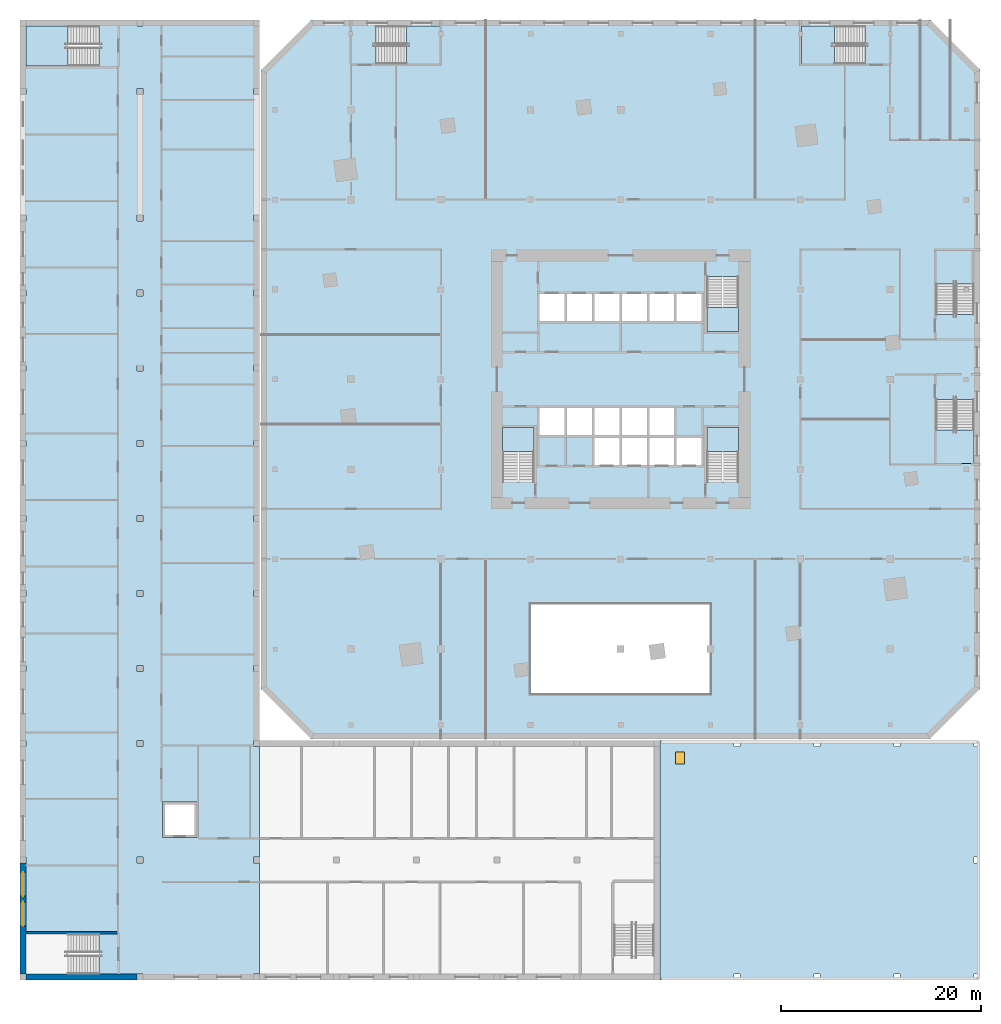
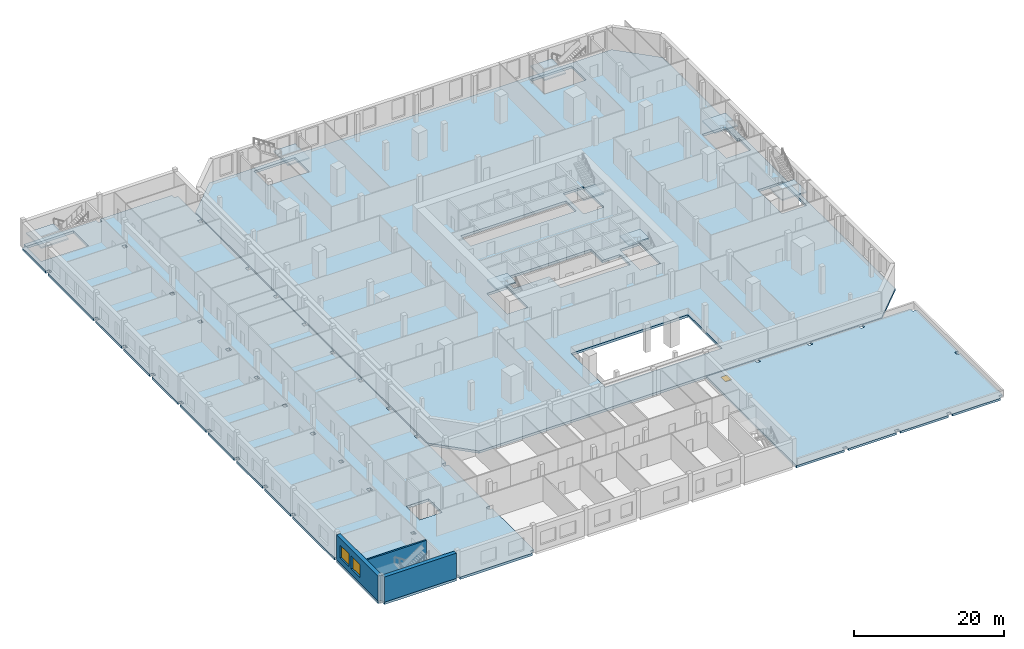
# One storey, part 2 of 20: 11 slabs, 3 walls, 3 windows, 3 openings, 8 elements without a shape of their own.
"""IFC4 building model written with IfcOpenShell, lengths in metres."""

from ifc_helpers import new_model, si_unit, direction, frame, frame_2d, origin, origin_2d, place, context, subcontext, project, spatial, polyline, rectangle, outline, extrude, material, layer, layer_set, type_object, element, fill, aggregate, save


model = new_model("IFC4")

# Units and contexts
model_context = context("Model", 3, precision=1e-05, world=origin(), true_north=direction((0.0, 1.0)))
body_context = subcontext(model_context, "Body", "Model", "MODEL_VIEW")
ifc_project = project(units=[si_unit("LENGTHUNIT", "METRE"), si_unit("AREAUNIT", "SQUARE_METRE"), si_unit("VOLUMEUNIT", "CUBIC_METRE"), si_unit("PLANEANGLEUNIT", "RADIAN"), si_unit("MASSUNIT", "GRAM", prefix="KILO")], contexts=[model_context])

# Site, building, storey
site_placement = place(None, origin())
site = spatial("IfcSite", under=ifc_project, at=site_placement, CompositionType="ELEMENT")
building_placement = place(site_placement, origin())
building = spatial("IfcBuilding", under=site, at=building_placement, Name="Dilmun Exchange Tower", CompositionType="ELEMENT")
storey_placement = place(building_placement, frame((0.0, 0.0, 9.0)))
storey = spatial("IfcBuildingStorey", under=building, at=storey_placement, Name="L02", CompositionType="ELEMENT", Elevation=9.0)

# Stair, slab
ifc_material_1 = material(Name="Concrete C40/50", Category="concrete")
stair_type_1 = type_object("IfcStairType", Name="Exit stair 1500 half-turn", PredefinedType="HALF_TURN_STAIR", material=ifc_material_1)
stair_1_placement = place(storey_placement, origin())
stair_1 = element("IfcStair", 1, at=stair_1_placement, inside=storey, type_object=stair_type_1, Name="L02 Protected exit stair ST1", PredefinedType="HALF_TURN_STAIR")
ifc_layer_1 = layer(ifc_material_1, 0.199951171875)
ifc_layer_set_1 = layer_set([ifc_layer_1], Name="Concrete C40/50")
slab_type_1 = type_object("IfcSlabType", Name="Exit stair landing 200", PredefinedType="LANDING", material=ifc_layer_set_1)
slab_1_placement = place(storey_placement, frame((0.0, 0.0, 2.050048828125)))
slab_1 = element("IfcSlab", 2, at=slab_1_placement, type_object=slab_type_1, Name="ST1 landing 1", PredefinedType="LANDING", context=body_context, shape_type="SweptSolid", body=[
    extrude(outline(polyline([(8.64990234375, 7.219970703125), (8.64990234375, 4.800048828125), (11.800048828125, 4.800048828125), (11.800048828125, 7.219970703125), (8.64990234375, 7.219970703125)])), origin(), (0.0, 0.0, 1.0), 0.199951171875),
])
aggregate(stair_1, [slab_1])

stair_2_placement = place(storey_placement, origin())
stair_2 = element("IfcStair", 3, at=stair_2_placement, inside=storey, type_object=stair_type_1, Name="L02 Protected exit stair ST2", PredefinedType="HALF_TURN_STAIR")
slab_2_placement = place(storey_placement, frame((0.0, 0.0, 2.050048828125)))
slab_2 = element("IfcSlab", 4, at=slab_2_placement, type_object=slab_type_1, Name="ST2 landing 1", PredefinedType="LANDING", context=body_context, shape_type="SweptSolid", body=[
    extrude(outline(polyline([(-8.64990234375, -7.219970703125), (-8.64990234375, -4.800048828125), (-11.800048828125, -4.800048828125), (-11.800048828125, -7.219970703125), (-8.64990234375, -7.219970703125)])), origin(), (0.0, 0.0, 1.0), 0.199951171875),
])
aggregate(stair_2, [slab_2])

stair_3_placement = place(storey_placement, origin())
stair_3 = element("IfcStair", 5, at=stair_3_placement, inside=storey, type_object=stair_type_1, Name="L02 Protected exit stair ST3", PredefinedType="HALF_TURN_STAIR")
slab_3_placement = place(storey_placement, frame((0.0, 0.0, 2.050048828125)))
slab_3 = element("IfcSlab", 6, at=slab_3_placement, type_object=slab_type_1, Name="ST3 landing 1", PredefinedType="LANDING", context=body_context, shape_type="SweptSolid", body=[
    extrude(outline(polyline([(11.800048828125, -7.219970703125), (11.800048828125, -4.800048828125), (8.64990234375, -4.800048828125), (8.64990234375, -7.219970703125), (11.800048828125, -7.219970703125)])), origin(), (0.0, 0.0, 1.0), 0.199951171875),
])
aggregate(stair_3, [slab_3])

stair_type_2 = type_object("IfcStairType", Name="Podium exit stair 1500", PredefinedType="HALF_TURN_STAIR", material=ifc_material_1)
stair_4_placement = place(storey_placement, origin())
stair_4 = element("IfcStair", 7, at=stair_4_placement, inside=storey, type_object=stair_type_2, Name="L02 Podium exit stair PS1", PredefinedType="HALF_TURN_STAIR")
ifc_layer_2 = layer(ifc_material_1, 0.199951171875)
ifc_layer_set_2 = layer_set([ifc_layer_2], Name="Concrete C40/50")
slab_type_2 = type_object("IfcSlabType", Name="Podium stair landing 200", PredefinedType="LANDING", material=ifc_layer_set_2)
slab_4_placement = place(storey_placement, frame((0.0, 0.0, 2.050048828125)))
slab_4 = element("IfcSlab", 8, at=slab_4_placement, type_object=slab_type_2, Name="PS1 landing 1", PredefinedType="LANDING", context=body_context, shape_type="SweptSolid", body=[
    extrude(outline(polyline([(-21.419921875, 31.60009765625), (-18.10498046875, 31.60009765625), (-18.10498046875, 35.39794921875), (-21.419921875, 35.39794921875), (-21.419921875, 31.60009765625)])), origin(), (0.0, 0.0, 1.0), 0.199951171875),
])
aggregate(stair_4, [slab_4])

stair_5_placement = place(storey_placement, origin())
stair_5 = element("IfcStair", 9, at=stair_5_placement, inside=storey, type_object=stair_type_2, Name="L02 Podium exit stair PS2", PredefinedType="HALF_TURN_STAIR")
slab_5_placement = place(storey_placement, frame((0.0, 0.0, 2.050048828125)))
slab_5 = element("IfcSlab", 10, at=slab_5_placement, type_object=slab_type_2, Name="PS2 landing 1", PredefinedType="LANDING", context=body_context, shape_type="SweptSolid", body=[
    extrude(outline(polyline([(21.419921875, 35.39794921875), (18.10498046875, 35.39794921875), (18.10498046875, 31.60009765625), (21.419921875, 31.60009765625), (21.419921875, 35.39794921875)])), origin(), (0.0, 0.0, 1.0), 0.199951171875),
])
aggregate(stair_5, [slab_5])

stair_6_placement = place(storey_placement, origin())
stair_6 = element("IfcStair", 11, at=stair_6_placement, inside=storey, type_object=stair_type_2, Name="L02 Podium exit stair PS3", PredefinedType="HALF_TURN_STAIR")
slab_6_placement = place(storey_placement, frame((0.0, 0.0, 2.050048828125)))
slab_6 = element("IfcSlab", 12, at=slab_6_placement, type_object=slab_type_2, Name="PS3 landing 1", PredefinedType="LANDING", context=body_context, shape_type="SweptSolid", body=[
    extrude(outline(polyline([(31.60009765625, -5.080078125), (31.60009765625, -8.39501953125), (35.39794921875, -8.39501953125), (35.39794921875, -5.080078125), (31.60009765625, -5.080078125)])), origin(), (0.0, 0.0, 1.0), 0.199951171875),
])
aggregate(stair_6, [slab_6])

stair_7_placement = place(storey_placement, origin())
stair_7 = element("IfcStair", 13, at=stair_7_placement, inside=storey, type_object=stair_type_2, Name="L02 Podium exit stair PS4", PredefinedType="HALF_TURN_STAIR")
slab_7_placement = place(storey_placement, frame((0.0, 0.0, 2.050048828125)))
slab_7 = element("IfcSlab", 14, at=slab_7_placement, type_object=slab_type_2, Name="PS4 landing 1", PredefinedType="LANDING", context=body_context, shape_type="SweptSolid", body=[
    extrude(outline(polyline([(35.197998046875, 9.580078125), (35.197998046875, 12.89501953125), (31.60009765625, 12.89501953125), (31.60009765625, 9.580078125), (35.197998046875, 9.580078125)])), origin(), (0.0, 0.0, 1.0), 0.199951171875),
])
aggregate(stair_7, [slab_7])

# Slabs
ifc_layer_3 = layer(ifc_material_1, 0.39990234375)
ifc_layer_set_3 = layer_set([ifc_layer_3], Name="Concrete C40/50")
slab_type_3 = type_object("IfcSlabType", Name="RC floor slab 400", PredefinedType="FLOOR", material=ifc_layer_set_3)
slab_8_placement = place(storey_placement, frame((0.0, 0.0, -0.39990234375)))
element("IfcSlab", 15, at=slab_8_placement, inside=storey, type_object=slab_type_3, Name="Floor slab", PredefinedType="FLOOR", context=body_context, shape_type="SweptSolid", body=[
    extrude(outline(polyline([(-36.0, -31.0), (-36.0, 31.0), (-31.0, 36.0), (31.0, 36.0), (36.0, 31.0), (36.0, -31.0), (31.0, -36.0), (-31.0, -36.0), (-36.0, -31.0)]), holes=[polyline([(-9.0, -22.5), (-9.0, -31.5), (9.0, -31.5), (9.0, -22.5), (-9.0, -22.5)]), polyline([(-8.64990234375, -10.294921875), (-8.64990234375, -4.800048828125), (-11.800048828125, -4.800048828125), (-11.800048828125, -10.294921875), (-8.64990234375, -10.294921875)]), polyline([(11.800048828125, -10.294921875), (11.800048828125, -4.800048828125), (8.64990234375, -4.800048828125), (8.64990234375, -10.294921875), (11.800048828125, -10.294921875)]), polyline([(5.375, -5.85009765625), (5.375, -2.85009765625), (-8.125, -2.85009765625), (-8.125, -5.550048828125), (-2.625, -5.550048828125), (-2.625, -8.550048828125), (8.125, -8.550048828125), (8.125, -5.85009765625), (5.375, -5.85009765625)]), polyline([(31.60009765625, -8.39501953125), (35.39794921875, -8.39501953125), (35.39794921875, -2.0048828125), (31.60009765625, -2.0048828125), (31.60009765625, -8.39501953125)]), polyline([(-8.125, 5.85009765625), (8.125, 5.85009765625), (8.125, 8.550048828125), (-8.125, 8.550048828125), (-8.125, 5.85009765625)]), polyline([(8.64990234375, 10.294921875), (8.64990234375, 4.800048828125), (11.800048828125, 4.800048828125), (11.800048828125, 10.294921875), (8.64990234375, 10.294921875)]), polyline([(35.39794921875, 12.89501953125), (31.60009765625, 12.89501953125), (31.60009765625, 6.5048828125), (35.39794921875, 6.5048828125), (35.39794921875, 9.58056640625), (35.097900390625, 9.58056640625), (35.097900390625, 12.889892578125), (35.39794921875, 12.889892578125), (35.39794921875, 12.89501953125)]), polyline([(-18.10498046875, 31.60009765625), (-18.10498046875, 35.39794921875), (-24.4951171875, 35.39794921875), (-24.4951171875, 31.60009765625), (-18.10498046875, 31.60009765625)]), polyline([(18.10498046875, 35.39794921875), (18.10498046875, 31.60009765625), (24.4951171875, 31.60009765625), (24.4951171875, 35.39794921875), (18.10498046875, 35.39794921875)])]), origin(), (0.0, 0.0, 1.0), 0.39990234375),
])
ifc_layer_4 = layer(ifc_material_1, 0.39990234375)
ifc_layer_set_4 = layer_set([ifc_layer_4], Name="Concrete C40/50")
slab_type_4 = type_object("IfcSlabType", Name="School flat slab 400 PT", PredefinedType="FLOOR", material=ifc_layer_set_4)
slab_9_placement = place(storey_placement, frame((0.0, 0.0, -0.39990234375)))
element("IfcSlab", 16, at=slab_9_placement, inside=storey, type_object=slab_type_4, Name="School slab L02", PredefinedType="FLOOR", context=body_context, shape_type="SweptSolid", body=[
    extrude(outline(polyline([(-36.75, -60.14990234375), (-47.85009765625, -60.14990234375), (-47.85009765625, -59.550048828125), (-48.449951171875, -59.550048828125), (-48.449951171875, -60.14990234375), (-59.550048828125, -60.14990234375), (-59.550048828125, -59.551025390625), (-52.25390625, -59.551025390625), (-52.25390625, -55.549072265625), (-59.551025390625, -55.549072265625), (-59.551025390625, -59.550048828125), (-60.14990234375, -59.550048828125), (-60.14990234375, -48.449951171875), (-59.550048828125, -48.449951171875), (-59.550048828125, -47.85009765625), (-60.14990234375, -47.85009765625), (-60.14990234375, -36.75), (-59.550048828125, -36.75), (-59.550048828125, -36.14990234375), (-60.14990234375, -36.14990234375), (-60.14990234375, -29.236083984375), (-59.550048828125, -29.236083984375), (-59.550048828125, -28.635986328125), (-60.14990234375, -28.635986328125), (-60.14990234375, -21.720947265625), (-59.550048828125, -21.720947265625), (-59.550048828125, -21.12109375), (-60.14990234375, -21.12109375), (-60.14990234375, -14.20703125), (-59.550048828125, -14.20703125), (-59.550048828125, -13.60693359375), (-60.14990234375, -13.60693359375), (-60.14990234375, -6.693115234375), (-59.550048828125, -6.693115234375), (-59.550048828125, -6.093017578125), (-60.14990234375, -6.093017578125), (-60.14990234375, 0.821044921875), (-59.550048828125, 0.821044921875), (-59.550048828125, 1.4208984375), (-60.14990234375, 1.4208984375), (-60.14990234375, 8.3359375), (-59.550048828125, 8.3359375), (-59.550048828125, 8.93603515625), (-60.14990234375, 8.93603515625), (-60.14990234375, 15.85009765625), (-59.550048828125, 15.85009765625), (-59.550048828125, 16.449951171875), (-60.14990234375, 16.449951171875), (-60.14990234375, 28.550048828125), (-59.550048828125, 28.550048828125), (-59.550048828125, 29.14990234375), (-60.14990234375, 29.14990234375), (-60.14990234375, 35.39990234375), (-59.551025390625, 35.39990234375), (-59.551025390625, 31.39892578125), (-52.25390625, 31.39892578125), (-52.25390625, 35.40087890625), (-59.550048828125, 35.40087890625), (-59.550048828125, 36.0), (-48.449951171875, 36.0), (-48.449951171875, 35.39990234375), (-47.85009765625, 35.39990234375), (-47.85009765625, 36.0), (-36.75, 36.0), (-36.75, 35.39990234375), (-36.14990234375, 35.39990234375), (-36.14990234375, 29.14990234375), (-36.75, 29.14990234375), (-36.75, 28.550048828125), (-36.14990234375, 28.550048828125), (-36.14990234375, 16.449951171875), (-36.75, 16.449951171875), (-36.75, 15.85009765625), (-36.14990234375, 15.85009765625), (-36.14990234375, 8.93603515625), (-36.75, 8.93603515625), (-36.75, 8.3359375), (-36.14990234375, 8.3359375), (-36.14990234375, 1.4208984375), (-36.75, 1.4208984375), (-36.75, 0.821044921875), (-36.14990234375, 0.821044921875), (-36.14990234375, -6.093017578125), (-36.75, -6.093017578125), (-36.75, -6.693115234375), (-36.14990234375, -6.693115234375), (-36.14990234375, -13.60693359375), (-36.75, -13.60693359375), (-36.75, -14.20703125), (-36.14990234375, -14.20703125), (-36.14990234375, -21.12109375), (-36.75, -21.12109375), (-36.75, -21.720947265625), (-36.14990234375, -21.720947265625), (-36.14990234375, -28.635986328125), (-36.75, -28.635986328125), (-36.75, -29.236083984375), (-36.14990234375, -29.236083984375), (-36.14990234375, -36.14990234375), (-36.75, -36.14990234375), (-36.75, -36.75), (-36.14990234375, -36.75), (-36.14990234375, -47.85009765625), (-36.75, -47.85009765625), (-36.75, -48.449951171875), (-36.14990234375, -48.449951171875), (-36.14990234375, -59.550048828125), (-36.75, -59.550048828125), (-36.75, -60.14990234375)]), holes=[polyline([(-48.449951171875, -29.236083984375), (-47.85009765625, -29.236083984375), (-47.85009765625, -28.635986328125), (-48.449951171875, -28.635986328125), (-48.449951171875, -29.236083984375)]), polyline([(-48.449951171875, 8.93603515625), (-48.449951171875, 8.3359375), (-47.85009765625, 8.3359375), (-47.85009765625, 8.93603515625), (-48.449951171875, 8.93603515625)]), polyline([(-48.449951171875, 15.85009765625), (-47.85009765625, 15.85009765625), (-47.85009765625, 16.449951171875), (-48.449951171875, 16.449951171875), (-48.449951171875, 15.85009765625)]), polyline([(-48.449951171875, 29.14990234375), (-48.449951171875, 28.550048828125), (-47.85009765625, 28.550048828125), (-47.85009765625, 29.14990234375), (-48.449951171875, 29.14990234375)]), polyline([(-48.449951171875, -48.449951171875), (-47.85009765625, -48.449951171875), (-47.85009765625, -47.85009765625), (-48.449951171875, -47.85009765625), (-48.449951171875, -48.449951171875)]), polyline([(-48.449951171875, -36.14990234375), (-48.449951171875, -36.75), (-47.85009765625, -36.75), (-47.85009765625, -36.14990234375), (-48.449951171875, -36.14990234375)]), polyline([(-48.449951171875, -21.12109375), (-48.449951171875, -21.720947265625), (-47.85009765625, -21.720947265625), (-47.85009765625, -21.12109375), (-48.449951171875, -21.12109375)]), polyline([(-48.449951171875, -14.20703125), (-47.85009765625, -14.20703125), (-47.85009765625, -13.60693359375), (-48.449951171875, -13.60693359375), (-48.449951171875, -14.20703125)]), polyline([(-48.449951171875, -6.093017578125), (-48.449951171875, -6.693115234375), (-47.85009765625, -6.693115234375), (-47.85009765625, -6.093017578125), (-48.449951171875, -6.093017578125)]), polyline([(-48.449951171875, 1.4208984375), (-48.449951171875, 0.821044921875), (-47.85009765625, 0.821044921875), (-47.85009765625, 1.4208984375), (-48.449951171875, 1.4208984375)]), polyline([(-42.39892578125, -42.299072265625), (-45.90087890625, -42.299072265625), (-45.90087890625, -45.90087890625), (-42.39892578125, -45.90087890625), (-42.39892578125, -42.299072265625)])]), origin(), (0.0, 0.0, 1.0), 0.39990234375),
])

# Slab, opening, window
ifc_layer_5 = layer(ifc_material_1, 0.35009765625)
ifc_layer_set_5 = layer_set([ifc_layer_5], Name="Concrete C40/50")
slab_type_5 = type_object("IfcSlabType", Name="School sports hall roof slab 350", PredefinedType="ROOF", material=ifc_layer_set_5)
slab_10_placement = place(storey_placement, frame((0.0, 0.0, -0.35009765625)))
slab_10 = element("IfcSlab", 17, at=slab_10_placement, inside=storey, type_object=slab_type_5, Name="School sports hall roof", PredefinedType="ROOF", context=body_context, shape_type="SweptSolid", body=[
    extrude(outline(polyline([(35.39990234375, -59.550048828125), (35.39990234375, -60.14990234375), (27.98291015625, -60.14990234375), (27.98291015625, -59.550048828125), (27.383056640625, -59.550048828125), (27.383056640625, -60.14990234375), (19.967041015625, -60.14990234375), (19.967041015625, -59.550048828125), (19.366943359375, -59.550048828125), (19.366943359375, -60.14990234375), (11.949951171875, -60.14990234375), (11.949951171875, -59.550048828125), (11.35009765625, -59.550048828125), (11.35009765625, -60.14990234375), (3.93310546875, -60.14990234375), (3.93310546875, -36.14990234375), (11.35009765625, -36.14990234375), (11.35009765625, -36.75), (11.949951171875, -36.75), (11.949951171875, -36.14990234375), (19.366943359375, -36.14990234375), (19.366943359375, -36.75), (19.967041015625, -36.75), (19.967041015625, -36.14990234375), (27.383056640625, -36.14990234375), (27.383056640625, -36.75), (27.98291015625, -36.75), (27.98291015625, -36.14990234375), (35.39990234375, -36.14990234375), (35.39990234375, -36.75), (36.0, -36.75), (36.0, -47.85009765625), (35.39990234375, -47.85009765625), (35.39990234375, -48.449951171875), (36.0, -48.449951171875), (36.0, -59.550048828125), (35.39990234375, -59.550048828125)])), origin(), (0.0, 0.0, 1.0), 0.35009765625),
])
opening_1_placement = place(slab_10_placement, frame((5.9580078125, -37.89990234375, 0.0)))
opening_1 = element("IfcOpeningElement", 18, at=opening_1_placement, cuts=slab_10, Name="Opening SCH-RH1", PredefinedType="OPENING", context=body_context, shape_type="SweptSolid", body=[
    extrude(rectangle(XDim=0.89990234375, YDim=1.199951171875, at=origin_2d()), origin(), (0.0, 0.0, 1.0), 0.400146484375),
])
ifc_material_2 = material(Name="Aluminium", Category="aluminium")
window_type_1 = type_object("IfcWindowType", Name="School roof hatch 900 x 1200", PartitioningType="SINGLE_PANEL", PredefinedType="SKYLIGHT", material=ifc_material_2)
window_1_placement = place(opening_1_placement, frame((0.0, 0.0, 0.35009765625)))
window_1 = element("IfcWindow", 19, at=window_1_placement, inside=storey, type_object=window_type_1, Name="School sports hall roof hatch", OverallHeight=1.199951171875, OverallWidth=0.89990234375, PartitioningType="SINGLE_PANEL", PredefinedType="SKYLIGHT", context=body_context, shape_type="SweptSolid", body=[
    extrude(rectangle(XDim=0.89990234375, YDim=1.199951171875, at=origin_2d()), origin(), (0.0, 0.0, 1.0), 0.050048828125),
])
fill(opening_1, window_1)

# Stair, slab
stair_type_3 = type_object("IfcStairType", Name="School exit stair 1850 wide", PredefinedType="HALF_TURN_STAIR", material=ifc_material_1)
stair_8_placement = place(storey_placement, origin())
stair_8 = element("IfcStair", 20, at=stair_8_placement, inside=storey, type_object=stair_type_3, Name="L02 Stair S1", PredefinedType="HALF_TURN_STAIR")
ifc_layer_6 = layer(ifc_material_1, 0.199951171875)
ifc_layer_set_6 = layer_set([ifc_layer_6], Name="Concrete C40/50")
slab_type_6 = type_object("IfcSlabType", Name="School stair landing 200", PredefinedType="LANDING", material=ifc_layer_set_6)
slab_11_placement = place(storey_placement, frame((0.0, 0.0, 2.050048828125)))
slab_11 = element("IfcSlab", 21, at=slab_11_placement, type_object=slab_type_6, Name="SCH-S1 landing 1", PredefinedType="LANDING", context=body_context, shape_type="SweptSolid", body=[
    extrude(outline(polyline([(-55.330078125, 35.39990234375), (-59.550048828125, 35.39990234375), (-59.550048828125, 31.39990234375), (-55.330078125, 31.39990234375), (-55.330078125, 35.39990234375)])), origin(), (0.0, 0.0, 1.0), 0.199951171875),
])
aggregate(stair_8, [slab_11])

# Wall, openings, windows
ifc_material_3 = material(Name="Precast concrete C40/50", Category="concrete")
ifc_layer_7 = layer(ifc_material_3, 0.60009765625)
ifc_layer_set_7 = layer_set([ifc_layer_7], Name="Precast concrete C40/50")
wall_type_1 = type_object("IfcWallType", Name="School external wall 600 precast C40/50", PredefinedType="STANDARD", material=ifc_layer_set_7)
wall_1_placement = place(storey_placement, frame((-59.85009765625, -59.550048828125, 0.0), z_axis=(0.0, 0.0, 1.0), x_axis=(0.0, 1.0, 0.0)))
wall_1 = element("IfcWall", 22, at=wall_1_placement, inside=storey, type_object=wall_type_1, Name="School external wall", PredefinedType="STANDARD", context=body_context, shape_type="SweptSolid", body=[
    extrude(rectangle(XDim=11.10009765625, YDim=0.60009765625, at=frame_2d((5.550048828125, 0.0))), origin(), (0.0, 0.0, 1.0), 4.10009765625),
])
opening_2_placement = place(wall_1_placement, frame((4.81591796875, 0.0, 0.89990234375)))
opening_2 = element("IfcOpeningElement", 23, at=opening_2_placement, cuts=wall_1, Name="Opening SCH-W24", PredefinedType="OPENING", context=body_context, shape_type="SweptSolid", body=[
    extrude(rectangle(XDim=2.39990234375, YDim=2.10009765625, at=frame_2d((1.199951171875, 1.050048828125))), frame((0.0, 0.31005859375, 0.0), z_axis=(0.0, -1.0, 0.0), x_axis=(1.0, 0.0, 0.0)), (0.0, 0.0, 1.0), 0.6201171875),
])
opening_3_placement = place(wall_1_placement, frame((7.807373046875, 0.0, 0.89990234375)))
opening_3 = element("IfcOpeningElement", 24, at=opening_3_placement, cuts=wall_1, Name="Opening SCH-W24", PredefinedType="OPENING", context=body_context, shape_type="SweptSolid", body=[
    extrude(rectangle(XDim=2.39990234375, YDim=2.10009765625, at=frame_2d((1.199951171875, 1.050048828125))), frame((0.0, 0.31005859375, 0.0), z_axis=(0.0, -1.0, 0.0), x_axis=(1.0, 0.0, 0.0)), (0.0, 0.0, 1.0), 0.6201171875),
])
ifc_material_4 = material(Name="Clear low-emissivity glass in aluminium frame", Category="aluminium")
window_type_2 = type_object("IfcWindowType", Name="School window 2400 x 2100", PartitioningType="DOUBLE_PANEL_VERTICAL", PredefinedType="WINDOW", material=ifc_material_4)
window_2_placement = place(opening_2_placement, origin())
window_2 = element("IfcWindow", 25, at=window_2_placement, inside=storey, type_object=window_type_2, Name="School window", OverallHeight=2.10009765625, OverallWidth=2.39990234375, PartitioningType="SINGLE_PANEL", PredefinedType="WINDOW", context=body_context, shape_type="SweptSolid", body=[
    extrude(rectangle(XDim=2.39990234375, YDim=2.10009765625, at=frame_2d((1.199951171875, 1.050048828125))), frame((0.0, 0.030029296875, 0.0), z_axis=(0.0, -1.0, 0.0), x_axis=(1.0, 0.0, 0.0)), (0.0, 0.0, 1.0), 0.06005859375),
])
fill(opening_2, window_2)
window_3_placement = place(opening_3_placement, origin())
window_3 = element("IfcWindow", 26, at=window_3_placement, inside=storey, type_object=window_type_2, Name="School window", OverallHeight=2.10009765625, OverallWidth=2.39990234375, PartitioningType="SINGLE_PANEL", PredefinedType="WINDOW", context=body_context, shape_type="SweptSolid", body=[
    extrude(rectangle(XDim=2.39990234375, YDim=2.10009765625, at=frame_2d((1.199951171875, 1.050048828125))), frame((0.0, 0.030029296875, 0.0), z_axis=(0.0, -1.0, 0.0), x_axis=(1.0, 0.0, 0.0)), (0.0, 0.0, 1.0), 0.06005859375),
])
fill(opening_3, window_3)

# Walls
wall_2_placement = place(storey_placement, frame((-48.449951171875, -59.85009765625, 0.0), z_axis=(0.0, 0.0, 1.0), x_axis=(-1.0, 0.0, 0.0)))
element("IfcWall", 27, at=wall_2_placement, inside=storey, type_object=wall_type_1, Name="School external wall", PredefinedType="STANDARD", context=body_context, shape_type="SweptSolid", body=[
    extrude(rectangle(XDim=11.10009765625, YDim=0.60009765625, at=frame_2d((5.550048828125, 0.0))), origin(), (0.0, 0.0, 1.0), 4.10009765625),
])
ifc_layer_8 = layer(ifc_material_1, 0.25)
ifc_layer_set_8 = layer_set([ifc_layer_8], Name="Concrete C40/50")
wall_type_2 = type_object("IfcWallType", Name="School stair and lift wall 250 C40/50", PredefinedType="SHEAR", material=ifc_layer_set_8)
wall_3_placement = place(storey_placement, frame((-59.550048828125, -55.425048828125, 0.0), z_axis=(0.0, 0.0, 1.0), x_axis=(1.0, 0.0, 0.0)))
element("IfcWall", 28, at=wall_3_placement, inside=storey, type_object=wall_type_2, Name="School stair or lift wall", PredefinedType="SHEAR", context=body_context, shape_type="SweptSolid", body=[
    extrude(rectangle(XDim=9.150146484375, YDim=0.25, at=frame_2d((4.5751953125, 0.0))), origin(), (0.0, 0.0, 1.0), 4.10009765625),
])

save(model, "model.ifc")
